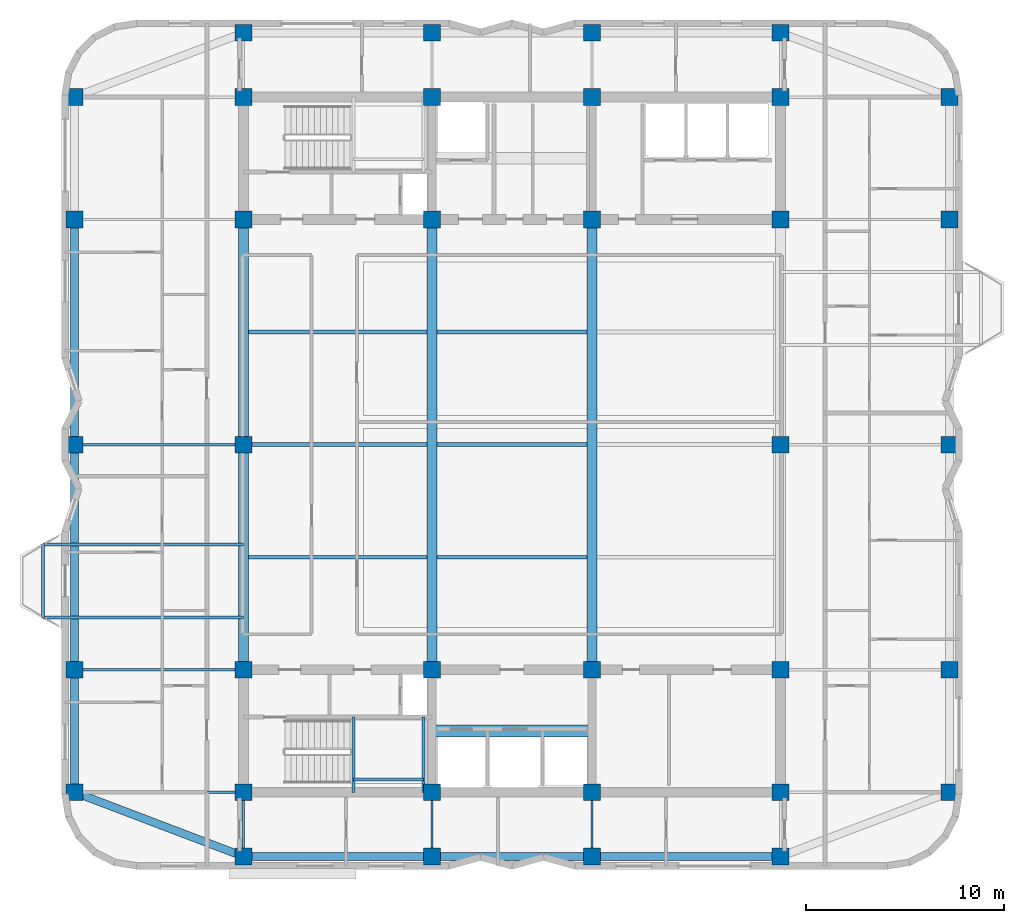
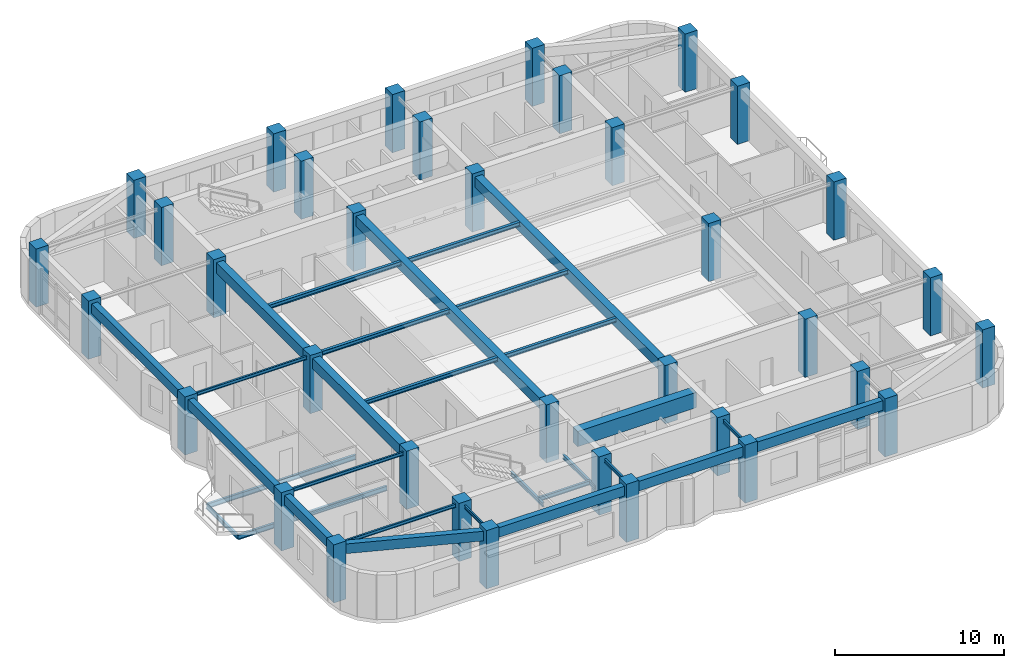
# One storey, part 1 of 11: 36 columns, 30 beams.
"""IFC4 building model written with IfcOpenShell, lengths in metres."""

from ifc_helpers import new_model, si_unit, direction, frame, origin, origin_2d, place, context, subcontext, project, spatial, rectangle, i_section, extrude, material, material_profile, profile_set, type_object, element, save


model = new_model("IFC4")

# Units and contexts
model_context = context("Model", 3, precision=1e-05, world=origin(), true_north=direction((0.0, 1.0)))
body_context = subcontext(model_context, "Body", "Model", "MODEL_VIEW")
ifc_project = project(units=[si_unit("LENGTHUNIT", "METRE"), si_unit("AREAUNIT", "SQUARE_METRE"), si_unit("VOLUMEUNIT", "CUBIC_METRE"), si_unit("PLANEANGLEUNIT", "RADIAN"), si_unit("MASSUNIT", "GRAM", prefix="KILO")], contexts=[model_context])

# Site, building, storey
site_placement = place(None, origin())
site = spatial("IfcSite", under=ifc_project, at=site_placement, CompositionType="ELEMENT")
building_placement = place(site_placement, origin())
building = spatial("IfcBuilding", under=site, at=building_placement, Name="Svetorya Sky Lyceum", CompositionType="ELEMENT")
storey_placement = place(building_placement, frame((0.0, 0.0, 203.10009765625)))
storey = spatial("IfcBuildingStorey", under=building, at=storey_placement, Name="L50", CompositionType="ELEMENT", Elevation=203.10009765625)

# Columns
ifc_material_1 = material(Name="Concrete C50/60", Category="concrete")
ifc_material_profile_1 = material_profile(ifc_material_1, rectangle(XDim=0.85009765625, YDim=0.85009765625, at=origin_2d()), Name="RC COL 850x850")
ifc_profile_set_1 = profile_set([ifc_material_profile_1], Name="Concrete C50/60")
column_type = type_object("IfcColumnType", Name="COL-RC-850", PredefinedType="COLUMN", material=ifc_profile_set_1)
for number, where, z_axis, x_axis, name in (
    (1, (25.60009765625, 10.60009765625, 0.0), (0.0, 0.0, 1.0), (1.0, 0.0, 0.0), "L50 Core Column CS-11"),
    (2, (25.60009765625, 16.800048828125, 0.0), (0.0, 0.0, 1.0), (1.0, 0.0, 0.0), "L50 Core Column CS-12"),
    (3, (35.14990234375, 10.60009765625, 0.0), (0.0, 0.0, 1.0), (1.0, 0.0, 0.0), "L50 Core Column CS-21"),
    (4, (35.14990234375, 16.800048828125, 0.0), (0.0, 0.0, 1.0), (1.0, 0.0, 0.0), "L50 Core Column CS-22"),
    (5, (43.25, 10.60009765625, 0.0), (0.0, 0.0, 1.0), (1.0, 0.0, 0.0), "L50 Core Column CS-31"),
    (6, (43.25, 16.800048828125, 0.0), (0.0, 0.0, 1.0), (1.0, 0.0, 0.0), "L50 Core Column CS-32"),
    (7, (52.800048828125, 10.60009765625, 0.0), (0.0, 0.0, 1.0), (1.0, 0.0, 0.0), "L50 Core Column CS-41"),
    (8, (52.800048828125, 16.800048828125, 0.0), (0.0, 0.0, 1.0), (1.0, 0.0, 0.0), "L50 Core Column CS-42"),
    (9, (25.60009765625, 39.60009765625, 0.0), (0.0, 0.0, 1.0), (1.0, 0.0, 0.0), "L50 Core Column CN-11"),
    (10, (25.60009765625, 45.800048828125, 0.0), (0.0, 0.0, 1.0), (1.0, 0.0, 0.0), "L50 Core Column CN-12"),
    (11, (35.14990234375, 39.60009765625, 0.0), (0.0, 0.0, 1.0), (1.0, 0.0, 0.0), "L50 Core Column CN-21"),
    (12, (35.14990234375, 45.800048828125, 0.0), (0.0, 0.0, 1.0), (1.0, 0.0, 0.0), "L50 Core Column CN-22"),
    (13, (43.25, 39.60009765625, 0.0), (0.0, 0.0, 1.0), (1.0, 0.0, 0.0), "L50 Core Column CN-31"),
    (14, (43.25, 45.800048828125, 0.0), (0.0, 0.0, 1.0), (1.0, 0.0, 0.0), "L50 Core Column CN-32"),
    (15, (52.800048828125, 39.60009765625, 0.0), (0.0, 0.0, 1.0), (1.0, 0.0, 0.0), "L50 Core Column CN-41"),
    (16, (52.800048828125, 45.800048828125, 0.0), (0.0, 0.0, 1.0), (1.0, 0.0, 0.0), "L50 Core Column CN-42"),
    (17, (25.60009765625, 28.199951171875, 0.0), (0.0, 0.0, 1.0), (1.0, 0.0, 0.0), "L50 Core Column CM-W"),
    (18, (52.800048828125, 28.199951171875, 0.0), (0.0, 0.0, 1.0), (1.0, 0.0, 0.0), "L50 Core Column CM-E"),
    (19, (25.60009765625, 7.35009765625, 0.0), (0.0, 0.0, 1.0), (1.0, 0.0, 0.0), "L50 Perimeter Column S1"),
    (20, (25.60009765625, 49.050048828125, 0.0), (0.0, 0.0, 1.0), (1.0, 0.0, 0.0), "L50 Perimeter Column N1"),
    (21, (35.14990234375, 7.35009765625, 0.0), (0.0, 0.0, 1.0), (1.0, 0.0, 0.0), "L50 Perimeter Column S2"),
    (22, (35.14990234375, 49.050048828125, 0.0), (0.0, 0.0, 1.0), (1.0, 0.0, 0.0), "L50 Perimeter Column N2"),
    (23, (43.25, 7.35009765625, 0.0), (0.0, 0.0, 1.0), (1.0, 0.0, 0.0), "L50 Perimeter Column S3"),
    (24, (43.25, 49.050048828125, 0.0), (0.0, 0.0, 1.0), (1.0, 0.0, 0.0), "L50 Perimeter Column N3"),
    (25, (52.800048828125, 7.35009765625, 0.0), (0.0, 0.0, 1.0), (1.0, 0.0, 0.0), "L50 Perimeter Column S4"),
    (26, (52.800048828125, 49.050048828125, 0.0), (0.0, 0.0, 1.0), (1.0, 0.0, 0.0), "L50 Perimeter Column N4"),
    (27, (17.050048828125, 10.60009765625, 0.0), (0.0, 0.0, 1.0), (1.0, 0.0, 0.0), "L50 Perimeter Column W1"),
    (28, (61.35009765625, 10.60009765625, 0.0), (0.0, 0.0, 1.0), (1.0, 0.0, 0.0), "L50 Perimeter Column E1"),
    (29, (17.050048828125, 16.800048828125, 0.0), (0.0, 0.0, 1.0), (1.0, 0.0, 0.0), "L50 Perimeter Column W2"),
    (30, (61.35009765625, 16.800048828125, 0.0), (0.0, 0.0, 1.0), (1.0, 0.0, 0.0), "L50 Perimeter Column E2"),
    (31, (17.050048828125, 28.199951171875, 0.0), (0.0, 0.0, 1.0), (1.0, 0.0, 0.0), "L50 Perimeter Column W3"),
    (32, (61.35009765625, 28.199951171875, 0.0), (0.0, 0.0, 1.0), (1.0, 0.0, 0.0), "L50 Perimeter Column E3"),
    (33, (17.050048828125, 39.60009765625, 0.0), (0.0, 0.0, 1.0), (1.0, 0.0, 0.0), "L50 Perimeter Column W4"),
    (34, (61.35009765625, 39.60009765625, 0.0), (0.0, 0.0, 1.0), (1.0, 0.0, 0.0), "L50 Perimeter Column E4"),
    (35, (17.050048828125, 45.800048828125, 0.0), (0.0, 0.0, 1.0), (1.0, 0.0, 0.0), "L50 Perimeter Column W5"),
    (36, (61.35009765625, 45.800048828125, 0.0), (0.0, 0.0, 1.0), (1.0, 0.0, 0.0), "L50 Perimeter Column E5"),
):
    element("IfcColumn", number, at=place(storey_placement, frame(where, z_axis=z_axis, x_axis=x_axis)), inside=storey, type_object=column_type, Name=name, PredefinedType="COLUMN", context=body_context, shape_type="SweptSolid", body=[
        extrude(rectangle(XDim=0.85009765625, YDim=0.85009765625, at=origin_2d()), origin(), (0.0, 0.0, 1.0), 4.199951171875),
    ])

# Beams
ifc_material_2 = material(Name="Concrete C60/75", Category="concrete")
ifc_material_profile_2 = material_profile(ifc_material_2, rectangle(XDim=0.60009765625, YDim=1.10009765625, at=origin_2d()), Name="RC COUPLING 600x1100")
ifc_profile_set_2 = profile_set([ifc_material_profile_2], Name="Concrete C60/75")
beam_type_1 = type_object("IfcBeamType", Name="BM-CPL-1100", PredefinedType="LINTEL", material=ifc_profile_set_2)
beam_1_placement = place(storey_placement, frame((35.14990234375, 13.699951171875, 3.389892578125), z_axis=(1.0, 0.0, 0.0), x_axis=(0.0, 1.0, 0.0)))
element("IfcBeam", 37, at=beam_1_placement, inside=storey, type_object=beam_type_1, Name="L50 SC Core Coupling Beam", PredefinedType="LINTEL", context=body_context, shape_type="SweptSolid", body=[
    extrude(rectangle(XDim=0.60009765625, YDim=1.10009765625, at=origin_2d()), origin(), (0.0, 0.0, 1.0), 8.10009765625),
])
ifc_material_profile_3 = material_profile(ifc_material_1, rectangle(XDim=0.5, YDim=0.75, at=origin_2d()), Name="RC BEAM 500x750")
ifc_profile_set_3 = profile_set([ifc_material_profile_3], Name="Concrete C50/60")
beam_type_2 = type_object("IfcBeamType", Name="BM-RC-750", PredefinedType="BEAM", material=ifc_profile_set_3)
beam_2_placement = place(storey_placement, frame((25.60009765625, 16.800048828125, 3.56494140625), z_axis=(0.0, 1.0, 0.0), x_axis=(-1.0, 0.0, 0.0)))
element("IfcBeam", 38, at=beam_2_placement, inside=storey, type_object=beam_type_2, Name="L50 Central Bay Primary Girder CG-1A", PredefinedType="BEAM", context=body_context, shape_type="SweptSolid", body=[
    extrude(rectangle(XDim=0.5, YDim=0.75, at=origin_2d()), origin(), (0.0, 0.0, 1.0), 11.39990234375),
])
beam_3_placement = place(storey_placement, frame((25.60009765625, 28.199951171875, 3.56494140625), z_axis=(0.0, 1.0, 0.0), x_axis=(-1.0, 0.0, 0.0)))
element("IfcBeam", 39, at=beam_3_placement, inside=storey, type_object=beam_type_2, Name="L50 Central Bay Primary Girder CG-1B", PredefinedType="BEAM", context=body_context, shape_type="SweptSolid", body=[
    extrude(rectangle(XDim=0.5, YDim=0.75, at=origin_2d()), origin(), (0.0, 0.0, 1.0), 11.400146484375),
])
for number, where, z_axis, x_axis, name in (
    (40, (35.14990234375, 16.800048828125, 3.56494140625), (0.0, 1.0, 0.0), (-1.0, 0.0, 0.0), "L50 Central Bay Primary Girder CG-2"),
    (41, (43.25, 16.800048828125, 3.56494140625), (0.0, 1.0, 0.0), (-1.0, 0.0, 0.0), "L50 Central Bay Primary Girder CG-3"),
):
    element("IfcBeam", number, at=place(storey_placement, frame(where, z_axis=z_axis, x_axis=x_axis)), inside=storey, type_object=beam_type_2, Name=name, PredefinedType="BEAM", context=body_context, shape_type="SweptSolid", body=[
        extrude(rectangle(XDim=0.5, YDim=0.75, at=origin_2d()), origin(), (0.0, 0.0, 1.0), 22.800048828125),
    ])
ifc_material_profile_4 = material_profile(ifc_material_1, rectangle(XDim=0.39990234375, YDim=0.699951171875, at=origin_2d()), Name="RC SPANDREL 400x700")
ifc_profile_set_4 = profile_set([ifc_material_profile_4], Name="Concrete C50/60")
beam_type_3 = type_object("IfcBeamType", Name="BM-SPN-700", PredefinedType="SPANDREL", material=ifc_profile_set_4)
beam_4_placement = place(storey_placement, frame((25.60009765625, 7.35009765625, 3.58984375), z_axis=(1.0, 0.0, 0.0), x_axis=(0.0, 1.0, 0.0)))
element("IfcBeam", 42, at=beam_4_placement, inside=storey, type_object=beam_type_3, Name="L50 South Spandrel 1", PredefinedType="SPANDREL", context=body_context, shape_type="SweptSolid", body=[
    extrude(rectangle(XDim=0.39990234375, YDim=0.699951171875, at=origin_2d()), origin(), (0.0, 0.0, 1.0), 9.5498046875),
])
beam_5_placement = place(storey_placement, frame((35.14990234375, 7.35009765625, 3.58984375), z_axis=(1.0, 0.0, 0.0), x_axis=(0.0, 1.0, 0.0)))
element("IfcBeam", 43, at=beam_5_placement, inside=storey, type_object=beam_type_3, Name="L50 South Spandrel 2", PredefinedType="SPANDREL", context=body_context, shape_type="SweptSolid", body=[
    extrude(rectangle(XDim=0.39990234375, YDim=0.699951171875, at=origin_2d()), origin(), (0.0, 0.0, 1.0), 8.10009765625),
])
beam_6_placement = place(storey_placement, frame((43.25, 7.35009765625, 3.58984375), z_axis=(1.0, 0.0, 0.0), x_axis=(0.0, 1.0, 0.0)))
element("IfcBeam", 44, at=beam_6_placement, inside=storey, type_object=beam_type_3, Name="L50 South Spandrel 3", PredefinedType="SPANDREL", context=body_context, shape_type="SweptSolid", body=[
    extrude(rectangle(XDim=0.39990234375, YDim=0.699951171875, at=origin_2d()), origin(), (0.0, 0.0, 1.0), 9.550048828125),
])
beam_7_placement = place(storey_placement, frame((25.60009765625, 7.35009765625, 3.58984375), z_axis=(-0.934747947367, 0.355311518099, 0.0), x_axis=(-0.355311518099, -0.934747947367, 0.0)))
element("IfcBeam", 45, at=beam_7_placement, inside=storey, type_object=beam_type_3, Name="L50 Corner Spandrel 1", PredefinedType="SPANDREL", context=body_context, shape_type="SweptSolid", body=[
    extrude(rectangle(XDim=0.39990234375, YDim=0.699951171875, at=origin_2d()), origin(), (0.0, 0.0, 1.0), 9.14697265625),
])
beam_8_placement = place(storey_placement, frame((17.050048828125, 10.60009765625, 3.58984375), z_axis=(0.0, 1.0, 0.0), x_axis=(-1.0, 0.0, 0.0)))
element("IfcBeam", 46, at=beam_8_placement, inside=storey, type_object=beam_type_3, Name="L50 West Spandrel 1", PredefinedType="SPANDREL", context=body_context, shape_type="SweptSolid", body=[
    extrude(rectangle(XDim=0.39990234375, YDim=0.699951171875, at=origin_2d()), origin(), (0.0, 0.0, 1.0), 6.199951171875),
])
beam_9_placement = place(storey_placement, frame((17.050048828125, 16.800048828125, 3.58984375), z_axis=(0.0, 1.0, 0.0), x_axis=(-1.0, 0.0, 0.0)))
element("IfcBeam", 47, at=beam_9_placement, inside=storey, type_object=beam_type_3, Name="L50 West Spandrel 2", PredefinedType="SPANDREL", context=body_context, shape_type="SweptSolid", body=[
    extrude(rectangle(XDim=0.39990234375, YDim=0.699951171875, at=origin_2d()), origin(), (0.0, 0.0, 1.0), 11.39990234375),
])
beam_10_placement = place(storey_placement, frame((17.050048828125, 28.199951171875, 3.58984375), z_axis=(0.0, 1.0, 0.0), x_axis=(-1.0, 0.0, 0.0)))
element("IfcBeam", 48, at=beam_10_placement, inside=storey, type_object=beam_type_3, Name="L50 West Spandrel 3", PredefinedType="SPANDREL", context=body_context, shape_type="SweptSolid", body=[
    extrude(rectangle(XDim=0.39990234375, YDim=0.699951171875, at=origin_2d()), origin(), (0.0, 0.0, 1.0), 11.400146484375),
])
ifc_material_3 = material(Name="Steel S355", Category="steel")
ifc_material_profile_5 = material_profile(ifc_material_3, i_section(OverallWidth=0.1240234375, OverallDepth=0.248046875, WebThickness=0.006103515625, FlangeThickness=0.009521484375, at=origin_2d()), Name="GOST 25B2")
ifc_profile_set_5 = profile_set([ifc_material_profile_5], Name="Steel S355")
beam_type_4 = type_object("IfcBeamType", Name="BM-STL-25B2", PredefinedType="JOIST", material=ifc_profile_set_5)
for number, where, z_axis, x_axis, name in (
    (49, (17.050048828125, 10.60009765625, 3.81591796875), (1.0, 0.0, 0.0), (0.0, 1.0, 0.0), "L50 West Wing Floor Joist W1"),
    (50, (17.050048828125, 16.800048828125, 3.81591796875), (1.0, 0.0, 0.0), (0.0, 1.0, 0.0), "L50 West Wing Floor Joist W2"),
    (51, (17.050048828125, 28.199951171875, 3.81591796875), (1.0, 0.0, 0.0), (0.0, 1.0, 0.0), "L50 West Wing Floor Joist W3"),
):
    element("IfcBeam", number, at=place(storey_placement, frame(where, z_axis=z_axis, x_axis=x_axis)), inside=storey, type_object=beam_type_4, Name=name, PredefinedType="JOIST", context=body_context, shape_type="SweptSolid", body=[
        extrude(i_section(OverallWidth=0.1240234375, OverallDepth=0.248046875, WebThickness=0.006103515625, FlangeThickness=0.009521484375, at=origin_2d()), origin(), (0.0, 0.0, 1.0), 8.550048828125),
    ])
for number, where, z_axis, x_axis, name in (
    (52, (25.60009765625, 7.35009765625, 3.81591796875), (0.0, 1.0, 0.0), (-1.0, 0.0, 0.0), "L50 South Bay Floor Girder S1"),
    (53, (35.14990234375, 7.35009765625, 3.81591796875), (0.0, 1.0, 0.0), (-1.0, 0.0, 0.0), "L50 South Bay Floor Girder S2"),
    (54, (43.25, 7.35009765625, 3.81591796875), (0.0, 1.0, 0.0), (-1.0, 0.0, 0.0), "L50 South Bay Floor Girder S3"),
):
    element("IfcBeam", number, at=place(storey_placement, frame(where, z_axis=z_axis, x_axis=x_axis)), inside=storey, type_object=beam_type_4, Name=name, PredefinedType="JOIST", context=body_context, shape_type="SweptSolid", body=[
        extrude(i_section(OverallWidth=0.1240234375, OverallDepth=0.248046875, WebThickness=0.006103515625, FlangeThickness=0.009521484375, at=origin_2d()), origin(), (0.0, 0.0, 1.0), 3.25),
    ])
ifc_material_profile_6 = material_profile(ifc_material_3, i_section(OverallWidth=0.14990234375, OverallDepth=0.299072265625, WebThickness=0.006591796875, FlangeThickness=0.010498046875, at=origin_2d()), Name="GOST 30B2")
ifc_profile_set_6 = profile_set([ifc_material_profile_6], Name="Steel S355")
beam_type_5 = type_object("IfcBeamType", Name="BM-STL-30B2", PredefinedType="JOIST", material=ifc_profile_set_6)
beam_11_placement = place(storey_placement, frame((15.449951171875, 19.449951171875, -0.4345703125), z_axis=(0.0, 1.0, 0.0), x_axis=(-1.0, 0.0, 0.0)))
element("IfcBeam", 55, at=beam_11_placement, inside=storey, type_object=beam_type_5, Name="L50 Balcony Edge Tie BAL-W1", PredefinedType="JOIST", context=body_context, shape_type="SweptSolid", body=[
    extrude(i_section(OverallWidth=0.14990234375, OverallDepth=0.299072265625, WebThickness=0.006591796875, FlangeThickness=0.010498046875, at=origin_2d()), origin(), (0.0, 0.0, 1.0), 3.699951171875),
])
for number, where, z_axis, x_axis, name in (
    (56, (31.179931640625, 10.60009765625, 1.75048828125), (0.0, 1.0, 0.0), (-1.0, 0.0, 0.0), "L50 Stair ST-S Half-Landing Support Beam 58.1"),
    (57, (34.719970703125, 10.60009765625, 1.75048828125), (0.0, 1.0, 0.0), (-1.0, 0.0, 0.0), "L50 Stair ST-S Half-Landing Support Beam 58.2"),
):
    element("IfcBeam", number, at=place(storey_placement, frame(where, z_axis=z_axis, x_axis=x_axis)), inside=storey, type_object=beam_type_5, Name=name, PredefinedType="JOIST", context=body_context, shape_type="SweptSolid", body=[
        extrude(i_section(OverallWidth=0.14990234375, OverallDepth=0.299072265625, WebThickness=0.006591796875, FlangeThickness=0.010498046875, at=origin_2d()), origin(), (0.0, 0.0, 1.0), 3.7998046875),
    ])
beam_12_placement = place(storey_placement, frame((31.179931640625, 11.25, 1.75048828125), z_axis=(1.0, 0.0, 0.0), x_axis=(0.0, 1.0, 0.0)))
element("IfcBeam", 58, at=beam_12_placement, inside=storey, type_object=beam_type_5, Name="L50 Stair ST-S Half-Landing Cross Tie 58", PredefinedType="JOIST", context=body_context, shape_type="SweptSolid", body=[
    extrude(i_section(OverallWidth=0.14990234375, OverallDepth=0.299072265625, WebThickness=0.006591796875, FlangeThickness=0.010498046875, at=origin_2d()), origin(), (0.0, 0.0, 1.0), 3.5400390625),
])
ifc_material_profile_7 = material_profile(ifc_material_3, i_section(OverallWidth=0.199951171875, OverallDepth=0.298095703125, WebThickness=0.008544921875, FlangeThickness=0.012939453125, at=origin_2d()), Name="GOST 30Sh2")
ifc_profile_set_7 = profile_set([ifc_material_profile_7], Name="Steel S355")
beam_type_6 = type_object("IfcBeamType", Name="BM-STL-30SH2", PredefinedType="BEAM", material=ifc_profile_set_7)
beam_13_placement = place(storey_placement, frame((25.85009765625, 22.5, 3.791015625), z_axis=(1.0, 0.0, 0.0), x_axis=(0.0, 1.0, 0.0)))
element("IfcBeam", 59, at=beam_13_placement, inside=storey, type_object=beam_type_6, Name="L50 Central Floor Joist CJ-1.1", PredefinedType="BEAM", context=body_context, shape_type="SweptSolid", body=[
    extrude(i_section(OverallWidth=0.199951171875, OverallDepth=0.298095703125, WebThickness=0.008544921875, FlangeThickness=0.012939453125, at=origin_2d()), origin(), (0.0, 0.0, 1.0), 9.0498046875),
])
beam_14_placement = place(storey_placement, frame((35.39990234375, 22.5, 3.791015625), z_axis=(1.0, 0.0, 0.0), x_axis=(0.0, 1.0, 0.0)))
element("IfcBeam", 60, at=beam_14_placement, inside=storey, type_object=beam_type_6, Name="L50 Central Floor Joist CJ-1.2", PredefinedType="BEAM", context=body_context, shape_type="SweptSolid", body=[
    extrude(i_section(OverallWidth=0.199951171875, OverallDepth=0.298095703125, WebThickness=0.008544921875, FlangeThickness=0.012939453125, at=origin_2d()), origin(), (0.0, 0.0, 1.0), 7.60009765625),
])
beam_15_placement = place(storey_placement, frame((25.85009765625, 28.199951171875, 3.791015625), z_axis=(1.0, 0.0, 0.0), x_axis=(0.0, 1.0, 0.0)))
element("IfcBeam", 61, at=beam_15_placement, inside=storey, type_object=beam_type_6, Name="L50 Central Floor Joist CJ-2.1", PredefinedType="BEAM", context=body_context, shape_type="SweptSolid", body=[
    extrude(i_section(OverallWidth=0.199951171875, OverallDepth=0.298095703125, WebThickness=0.008544921875, FlangeThickness=0.012939453125, at=origin_2d()), origin(), (0.0, 0.0, 1.0), 9.0498046875),
])
beam_16_placement = place(storey_placement, frame((35.39990234375, 28.199951171875, 3.791015625), z_axis=(1.0, 0.0, 0.0), x_axis=(0.0, 1.0, 0.0)))
element("IfcBeam", 62, at=beam_16_placement, inside=storey, type_object=beam_type_6, Name="L50 Central Floor Joist CJ-2.2", PredefinedType="BEAM", context=body_context, shape_type="SweptSolid", body=[
    extrude(i_section(OverallWidth=0.199951171875, OverallDepth=0.298095703125, WebThickness=0.008544921875, FlangeThickness=0.012939453125, at=origin_2d()), origin(), (0.0, 0.0, 1.0), 7.60009765625),
])
beam_17_placement = place(storey_placement, frame((25.85009765625, 33.89990234375, 3.791015625), z_axis=(1.0, 0.0, 0.0), x_axis=(0.0, 1.0, 0.0)))
element("IfcBeam", 63, at=beam_17_placement, inside=storey, type_object=beam_type_6, Name="L50 Central Floor Joist CJ-3.1", PredefinedType="BEAM", context=body_context, shape_type="SweptSolid", body=[
    extrude(i_section(OverallWidth=0.199951171875, OverallDepth=0.298095703125, WebThickness=0.008544921875, FlangeThickness=0.012939453125, at=origin_2d()), origin(), (0.0, 0.0, 1.0), 9.0498046875),
])
beam_18_placement = place(storey_placement, frame((35.39990234375, 33.89990234375, 3.791015625), z_axis=(1.0, 0.0, 0.0), x_axis=(0.0, 1.0, 0.0)))
element("IfcBeam", 64, at=beam_18_placement, inside=storey, type_object=beam_type_6, Name="L50 Central Floor Joist CJ-3.2", PredefinedType="BEAM", context=body_context, shape_type="SweptSolid", body=[
    extrude(i_section(OverallWidth=0.199951171875, OverallDepth=0.298095703125, WebThickness=0.008544921875, FlangeThickness=0.012939453125, at=origin_2d()), origin(), (0.0, 0.0, 1.0), 7.60009765625),
])
ifc_material_profile_8 = material_profile(ifc_material_3, i_section(OverallWidth=0.155029296875, OverallDepth=0.34912109375, WebThickness=0.007080078125, FlangeThickness=0.011474609375, at=origin_2d()), Name="GOST 35B2")
ifc_profile_set_8 = profile_set([ifc_material_profile_8], Name="Steel S355")
beam_type_7 = type_object("IfcBeamType", Name="BM-STL-35B2", PredefinedType="JOIST", material=ifc_profile_set_8)
for number, where, z_axis, x_axis, name in (
    (65, (25.60009765625, 19.449951171875, -0.4345703125), (-1.0, 0.0, 0.0), (0.0, -1.0, 0.0), "L50 Balcony Cantilever Beam BAL-W1-1"),
    (66, (25.60009765625, 23.14990234375, -0.4345703125), (-1.0, 0.0, 0.0), (0.0, -1.0, 0.0), "L50 Balcony Cantilever Beam BAL-W1-2"),
):
    element("IfcBeam", number, at=place(storey_placement, frame(where, z_axis=z_axis, x_axis=x_axis)), inside=storey, type_object=beam_type_7, Name=name, PredefinedType="JOIST", context=body_context, shape_type="SweptSolid", body=[
        extrude(i_section(OverallWidth=0.155029296875, OverallDepth=0.34912109375, WebThickness=0.007080078125, FlangeThickness=0.011474609375, at=origin_2d()), origin(), (0.0, 0.0, 1.0), 10.150146484375),
    ])

save(model, "model.ifc")
